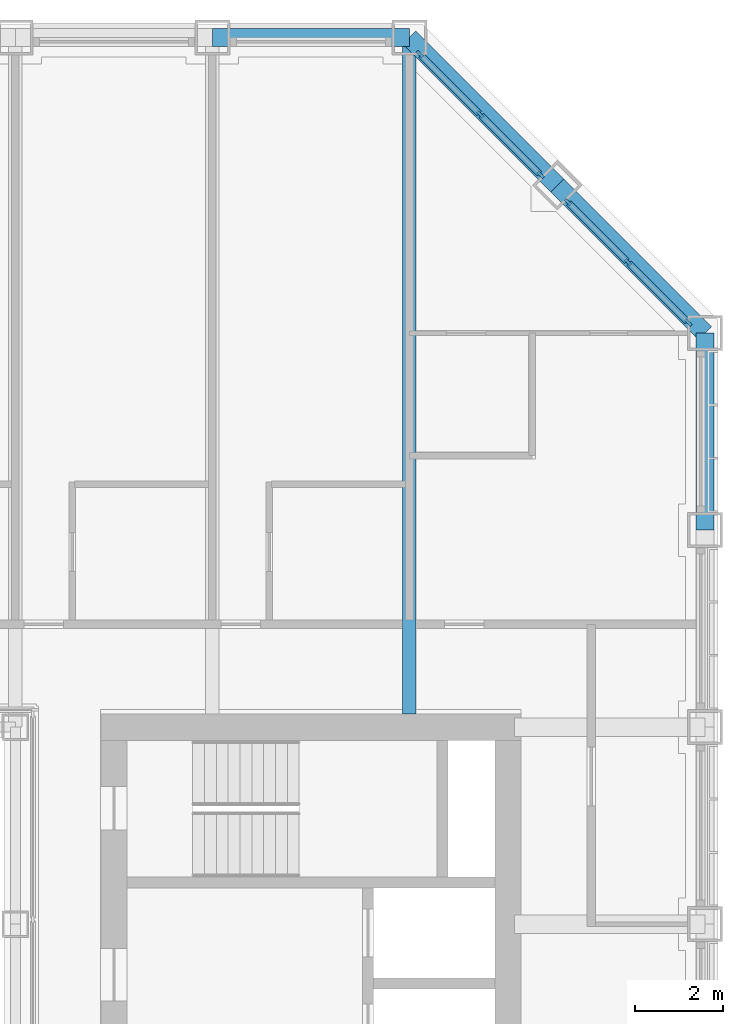
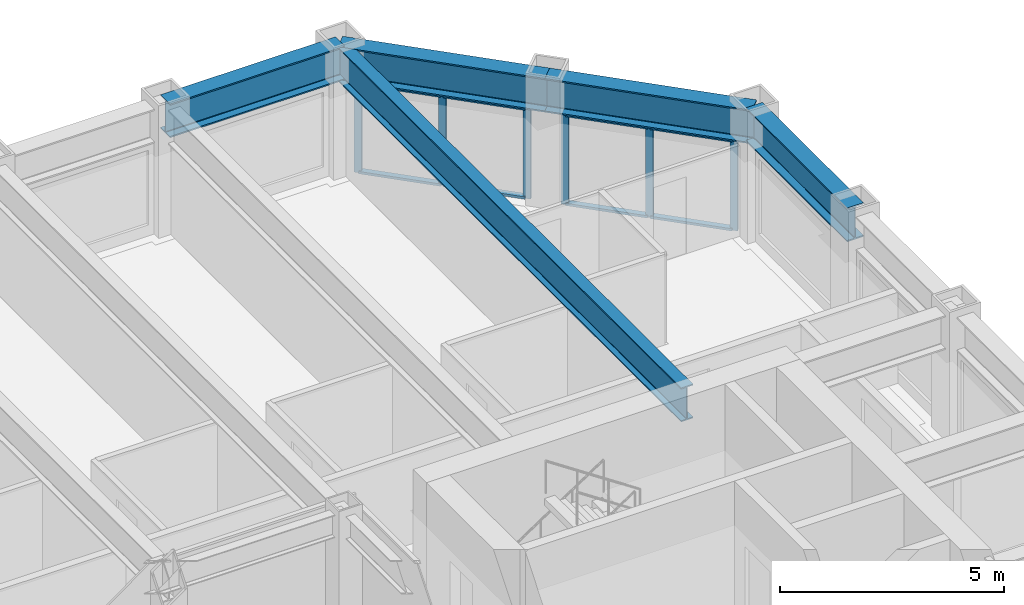
# One storey, part 8 of 18: 14 members, 5 beams, 2 elements without a shape of their own.
"""IFC4 building model written with IfcOpenShell, lengths in metres."""

from ifc_helpers import new_model, si_unit, direction, frame, origin, origin_2d, place, context, subcontext, project, spatial, rectangle, i_section, extrude, material, material_profile, profile_set, type_object, element, aggregate, save


model = new_model("IFC4")

# Units and contexts
model_context = context("Model", 3, precision=1e-05, world=origin(), true_north=direction((0.0, 1.0)))
body_context = subcontext(model_context, "Body", "Model", "MODEL_VIEW")
ifc_project = project(units=[si_unit("LENGTHUNIT", "METRE"), si_unit("AREAUNIT", "SQUARE_METRE"), si_unit("VOLUMEUNIT", "CUBIC_METRE"), si_unit("PLANEANGLEUNIT", "RADIAN"), si_unit("MASSUNIT", "GRAM", prefix="KILO")], contexts=[model_context])

# Site, building, storey
site_placement = place(None, origin())
site = spatial("IfcSite", under=ifc_project, at=site_placement, CompositionType="ELEMENT")
building_placement = place(site_placement, origin())
building = spatial("IfcBuilding", under=site, at=building_placement, Name="Msasa Ring Tower", CompositionType="ELEMENT")
storey_placement = place(building_placement, frame((0.0, 0.0, 118.39990234375)))
storey = spatial("IfcBuildingStorey", under=building, at=storey_placement, Name="L30", CompositionType="ELEMENT", Elevation=118.39990234375)

# Curtain wall, members
ifc_material_1 = material(Name="Aluminium curtain wall with clear glass", Category="aluminium")
curtain_wall_type = type_object("IfcCurtainWallType", Name="CW-C CHAMFER CORNER CURTAIN WALL", PredefinedType="NOTDEFINED", material=ifc_material_1)
curtain_wall_1_placement = place(storey_placement, origin())
curtain_wall_1 = element("IfcCurtainWall", 1, at=curtain_wall_1_placement, inside=storey, type_object=curtain_wall_type, Name="Chamfer corner curtain wall NE L30", PredefinedType="NOTDEFINED")
ifc_material_2 = material(Name="Aluminium mullion", Category="aluminium")
ifc_material_profile_1 = material_profile(ifc_material_2, rectangle(XDim=0.06494140625, YDim=0.179931640625, at=origin_2d()), Name="AL 65x180")
ifc_profile_set_1 = profile_set([ifc_material_profile_1], Name="Aluminium mullion")
member_type_1 = type_object("IfcMemberType", Name="CW-C MULLION 65x180", PredefinedType="MULLION", material=ifc_profile_set_1)
member_1_placement = place(storey_placement, frame((18.744873046875, 19.36376953125, 0.0), z_axis=(0.0, 0.0, 1.0), x_axis=(-0.707106781187, -0.707106781187, 0.0)))
member_1 = element("IfcMember", 2, at=member_1_placement, type_object=member_type_1, Name="CW-C mullion 1", PredefinedType="MULLION", context=body_context, shape_type="SweptSolid", body=[
    extrude(rectangle(XDim=0.06494140625, YDim=0.179931640625, at=origin_2d()), origin(), (0.0, 0.0, 1.0), 2.47900390625),
])
member_2_placement = place(storey_placement, frame((17.36669921875, 20.74169921875, 0.0), z_axis=(0.0, 0.0, 1.0), x_axis=(-0.707106781187, -0.707106781187, 0.0)))
member_2 = element("IfcMember", 3, at=member_2_placement, type_object=member_type_1, Name="CW-C mullion 2", PredefinedType="MULLION", context=body_context, shape_type="SweptSolid", body=[
    extrude(rectangle(XDim=0.06494140625, YDim=0.179931640625, at=origin_2d()), origin(), (0.0, 0.0, 1.0), 2.47900390625),
])
member_3_placement = place(storey_placement, frame((15.98876953125, 22.119873046875, 0.0), z_axis=(0.0, 0.0, 1.0), x_axis=(-0.707106781187, -0.707106781187, 0.0)))
member_3 = element("IfcMember", 4, at=member_3_placement, type_object=member_type_1, Name="CW-C mullion 3", PredefinedType="MULLION", context=body_context, shape_type="SweptSolid", body=[
    extrude(rectangle(XDim=0.06494140625, YDim=0.179931640625, at=origin_2d()), origin(), (0.0, 0.0, 1.0), 2.47900390625),
])

curtain_wall_2_placement = place(storey_placement, origin())
curtain_wall_2 = element("IfcCurtainWall", 5, at=curtain_wall_2_placement, inside=storey, type_object=curtain_wall_type, Name="Chamfer corner curtain wall NE L30", PredefinedType="NOTDEFINED")
member_4_placement = place(storey_placement, frame((22.119873046875, 15.98876953125, 0.0), z_axis=(0.0, 0.0, 1.0), x_axis=(-0.707106781187, -0.707106781187, 0.0)))
member_4 = element("IfcMember", 6, at=member_4_placement, type_object=member_type_1, Name="CW-C mullion 1", PredefinedType="MULLION", context=body_context, shape_type="SweptSolid", body=[
    extrude(rectangle(XDim=0.06494140625, YDim=0.179931640625, at=origin_2d()), origin(), (0.0, 0.0, 1.0), 2.47900390625),
])
member_5_placement = place(storey_placement, frame((20.74169921875, 17.36669921875, 0.0), z_axis=(0.0, 0.0, 1.0), x_axis=(-0.707106781187, -0.707106781187, 0.0)))
member_5 = element("IfcMember", 7, at=member_5_placement, type_object=member_type_1, Name="CW-C mullion 2", PredefinedType="MULLION", context=body_context, shape_type="SweptSolid", body=[
    extrude(rectangle(XDim=0.06494140625, YDim=0.179931640625, at=origin_2d()), origin(), (0.0, 0.0, 1.0), 2.47900390625),
])
member_6_placement = place(storey_placement, frame((19.36376953125, 18.744873046875, 0.0), z_axis=(0.0, 0.0, 1.0), x_axis=(-0.707106781187, -0.707106781187, 0.0)))
member_6 = element("IfcMember", 8, at=member_6_placement, type_object=member_type_1, Name="CW-C mullion 3", PredefinedType="MULLION", context=body_context, shape_type="SweptSolid", body=[
    extrude(rectangle(XDim=0.06494140625, YDim=0.179931640625, at=origin_2d()), origin(), (0.0, 0.0, 1.0), 2.47900390625),
])

# Member
ifc_material_3 = material(Name="Aluminium transom", Category="aluminium")
ifc_material_profile_2 = material_profile(ifc_material_3, rectangle(XDim=0.139892578125, YDim=0.06494140625, at=origin_2d()), Name="AL 65x140")
ifc_profile_set_2 = profile_set([ifc_material_profile_2], Name="Aluminium transom")
member_type_2 = type_object("IfcMemberType", Name="CW-C TRANSOM 65x140", PredefinedType="USERDEFINED", material=ifc_profile_set_2)
member_7_placement = place(storey_placement, frame((18.721923828125, 19.38671875, 0.03271484375), z_axis=(-0.707106781187, 0.707106781187, 0.0), x_axis=(-0.707106781187, -0.707106781187, 0.0)))
member_7 = element("IfcMember", 9, at=member_7_placement, type_object=member_type_2, Name="CW-C transom 1.1", ObjectType="TRANSOM", PredefinedType="USERDEFINED", context=body_context, shape_type="SweptSolid", body=[
    extrude(rectangle(XDim=0.139892578125, YDim=0.06494140625, at=origin_2d()), origin(), (0.0, 0.0, 1.0), 1.8837890625),
])

member_8_placement = place(storey_placement, frame((18.721923828125, 19.38671875, 2.446533203125), z_axis=(-0.707106781187, 0.707106781187, 0.0), x_axis=(-0.707106781187, -0.707106781187, 0.0)))
member_8 = element("IfcMember", 10, at=member_8_placement, type_object=member_type_2, Name="CW-C transom 1.2", ObjectType="TRANSOM", PredefinedType="USERDEFINED", context=body_context, shape_type="SweptSolid", body=[
    extrude(rectangle(XDim=0.139892578125, YDim=0.06494140625, at=origin_2d()), origin(), (0.0, 0.0, 1.0), 1.8837890625),
])

member_9_placement = place(storey_placement, frame((17.34375, 20.764892578125, 0.03271484375), z_axis=(-0.707106781187, 0.707106781187, 0.0), x_axis=(-0.707106781187, -0.707106781187, 0.0)))
member_9 = element("IfcMember", 11, at=member_9_placement, type_object=member_type_2, Name="CW-C transom 2.1", ObjectType="TRANSOM", PredefinedType="USERDEFINED", context=body_context, shape_type="SweptSolid", body=[
    extrude(rectangle(XDim=0.139892578125, YDim=0.06494140625, at=origin_2d()), origin(), (0.0, 0.0, 1.0), 1.8837890625),
])

member_10_placement = place(storey_placement, frame((17.34375, 20.764892578125, 2.446533203125), z_axis=(-0.707106781187, 0.707106781187, 0.0), x_axis=(-0.707106781187, -0.707106781187, 0.0)))
member_10 = element("IfcMember", 12, at=member_10_placement, type_object=member_type_2, Name="CW-C transom 2.2", ObjectType="TRANSOM", PredefinedType="USERDEFINED", context=body_context, shape_type="SweptSolid", body=[
    extrude(rectangle(XDim=0.139892578125, YDim=0.06494140625, at=origin_2d()), origin(), (0.0, 0.0, 1.0), 1.8837890625),
])

aggregate(curtain_wall_1, [member_1, member_2, member_3, member_7, member_8, member_9, member_10])

member_11_placement = place(storey_placement, frame((22.096923828125, 16.01171875, 0.03271484375), z_axis=(-0.707106781187, 0.707106781187, 0.0), x_axis=(-0.707106781187, -0.707106781187, 0.0)))
member_11 = element("IfcMember", 13, at=member_11_placement, type_object=member_type_2, Name="CW-C transom 1.1", ObjectType="TRANSOM", PredefinedType="USERDEFINED", context=body_context, shape_type="SweptSolid", body=[
    extrude(rectangle(XDim=0.139892578125, YDim=0.06494140625, at=origin_2d()), origin(), (0.0, 0.0, 1.0), 1.8837890625),
])

member_12_placement = place(storey_placement, frame((22.096923828125, 16.01171875, 2.446533203125), z_axis=(-0.707106781187, 0.707106781187, 0.0), x_axis=(-0.707106781187, -0.707106781187, 0.0)))
member_12 = element("IfcMember", 14, at=member_12_placement, type_object=member_type_2, Name="CW-C transom 1.2", ObjectType="TRANSOM", PredefinedType="USERDEFINED", context=body_context, shape_type="SweptSolid", body=[
    extrude(rectangle(XDim=0.139892578125, YDim=0.06494140625, at=origin_2d()), origin(), (0.0, 0.0, 1.0), 1.8837890625),
])

member_13_placement = place(storey_placement, frame((20.71875, 17.389892578125, 0.03271484375), z_axis=(-0.707106781187, 0.707106781187, 0.0), x_axis=(-0.707106781187, -0.707106781187, 0.0)))
member_13 = element("IfcMember", 15, at=member_13_placement, type_object=member_type_2, Name="CW-C transom 2.1", ObjectType="TRANSOM", PredefinedType="USERDEFINED", context=body_context, shape_type="SweptSolid", body=[
    extrude(rectangle(XDim=0.139892578125, YDim=0.06494140625, at=origin_2d()), origin(), (0.0, 0.0, 1.0), 1.8837890625),
])

member_14_placement = place(storey_placement, frame((20.71875, 17.389892578125, 2.446533203125), z_axis=(-0.707106781187, 0.707106781187, 0.0), x_axis=(-0.707106781187, -0.707106781187, 0.0)))
member_14 = element("IfcMember", 16, at=member_14_placement, type_object=member_type_2, Name="CW-C transom 2.2", ObjectType="TRANSOM", PredefinedType="USERDEFINED", context=body_context, shape_type="SweptSolid", body=[
    extrude(rectangle(XDim=0.139892578125, YDim=0.06494140625, at=origin_2d()), origin(), (0.0, 0.0, 1.0), 1.8837890625),
])

aggregate(curtain_wall_2, [member_4, member_5, member_6, member_11, member_12, member_13, member_14])

# Beams
ifc_material_4 = material(Name="Steel S355", Category="steel")
ifc_material_profile_3 = material_profile(ifc_material_4, i_section(OverallWidth=0.3076171875, OverallDepth=0.926513671875, WebThickness=0.01953125, FlangeThickness=0.031982421875, FilletRadius=0.01904296875, at=origin_2d()), Name="UB 914x305x289")
ifc_profile_set_3 = profile_set([ifc_material_profile_3], Name="Steel S355")
beam_type_1 = type_object("IfcBeamType", Name="FB3 UB 914x305x289", PredefinedType="BEAM", material=ifc_profile_set_3)
beam_1_placement = place(storey_placement, frame((15.75, 22.5, 2.936767578125), z_axis=(0.0, -1.0, 0.0), x_axis=(1.0, 0.0, 0.0)))
element("IfcBeam", 17, at=beam_1_placement, inside=storey, type_object=beam_type_1, Name="Floor beam N+15.75 under L31", PredefinedType="BEAM", context=body_context, shape_type="SweptSolid", body=[
    extrude(i_section(OverallWidth=0.3076171875, OverallDepth=0.926513671875, WebThickness=0.01953125, FlangeThickness=0.031982421875, FilletRadius=0.01904296875, at=origin_2d()), origin(), (0.0, 0.0, 1.0), 15.449951171875),
])
ifc_material_5 = material(Name="Steel S355", Category="steel")
ifc_material_profile_4 = material_profile(ifc_material_5, i_section(OverallWidth=0.42041015625, OverallDepth=0.9208984375, WebThickness=0.021484375, FlangeThickness=0.03662109375, FilletRadius=0.024169921875, at=origin_2d()), Name="UB 914x419x388")
ifc_profile_set_4 = profile_set([ifc_material_profile_4], Name="Steel S355")
beam_type_2 = type_object("IfcBeamType", Name="SB1 UB 914x419x388", PredefinedType="SPANDREL", material=ifc_profile_set_4)
beam_2_placement = place(storey_placement, frame((22.5, 11.25, 2.939697265625), z_axis=(0.0, 1.0, 0.0), x_axis=(-1.0, 0.0, 0.0)))
element("IfcBeam", 18, at=beam_2_placement, inside=storey, type_object=beam_type_2, Name="Spandrel E+11.25 to E+15.75 under L31", PredefinedType="SPANDREL", context=body_context, shape_type="SweptSolid", body=[
    extrude(i_section(OverallWidth=0.42041015625, OverallDepth=0.9208984375, WebThickness=0.021484375, FlangeThickness=0.03662109375, FilletRadius=0.024169921875, at=origin_2d()), origin(), (0.0, 0.0, 1.0), 4.5),
])
for number, where, z_axis, x_axis, name in (
    (19, (22.5, 15.75, 2.939697265625), (-0.707106781187, 0.707106781187, 0.0), (-0.707106781187, -0.707106781187, 0.0), "Spandrel E+15.75 to NE under L31"),
    (20, (19.125, 19.125, 2.939697265625), (-0.707106781187, 0.707106781187, 0.0), (-0.707106781187, -0.707106781187, 0.0), "Spandrel NE to N+15.75 under L31"),
):
    element("IfcBeam", number, at=place(storey_placement, frame(where, z_axis=z_axis, x_axis=x_axis)), inside=storey, type_object=beam_type_2, Name=name, PredefinedType="SPANDREL", context=body_context, shape_type="SweptSolid", body=[
        extrude(i_section(OverallWidth=0.42041015625, OverallDepth=0.9208984375, WebThickness=0.021484375, FlangeThickness=0.03662109375, FilletRadius=0.024169921875, at=origin_2d()), origin(), (0.0, 0.0, 1.0), 4.77294921875),
    ])
beam_3_placement = place(storey_placement, frame((15.75, 22.5, 2.939697265625), z_axis=(-1.0, 0.0, 0.0), x_axis=(0.0, -1.0, 0.0)))
element("IfcBeam", 21, at=beam_3_placement, inside=storey, type_object=beam_type_2, Name="Spandrel N+15.75 to N+11.25 under L31", PredefinedType="SPANDREL", context=body_context, shape_type="SweptSolid", body=[
    extrude(i_section(OverallWidth=0.42041015625, OverallDepth=0.9208984375, WebThickness=0.021484375, FlangeThickness=0.03662109375, FilletRadius=0.024169921875, at=origin_2d()), origin(), (0.0, 0.0, 1.0), 4.5),
])

save(model, "model.ifc")
